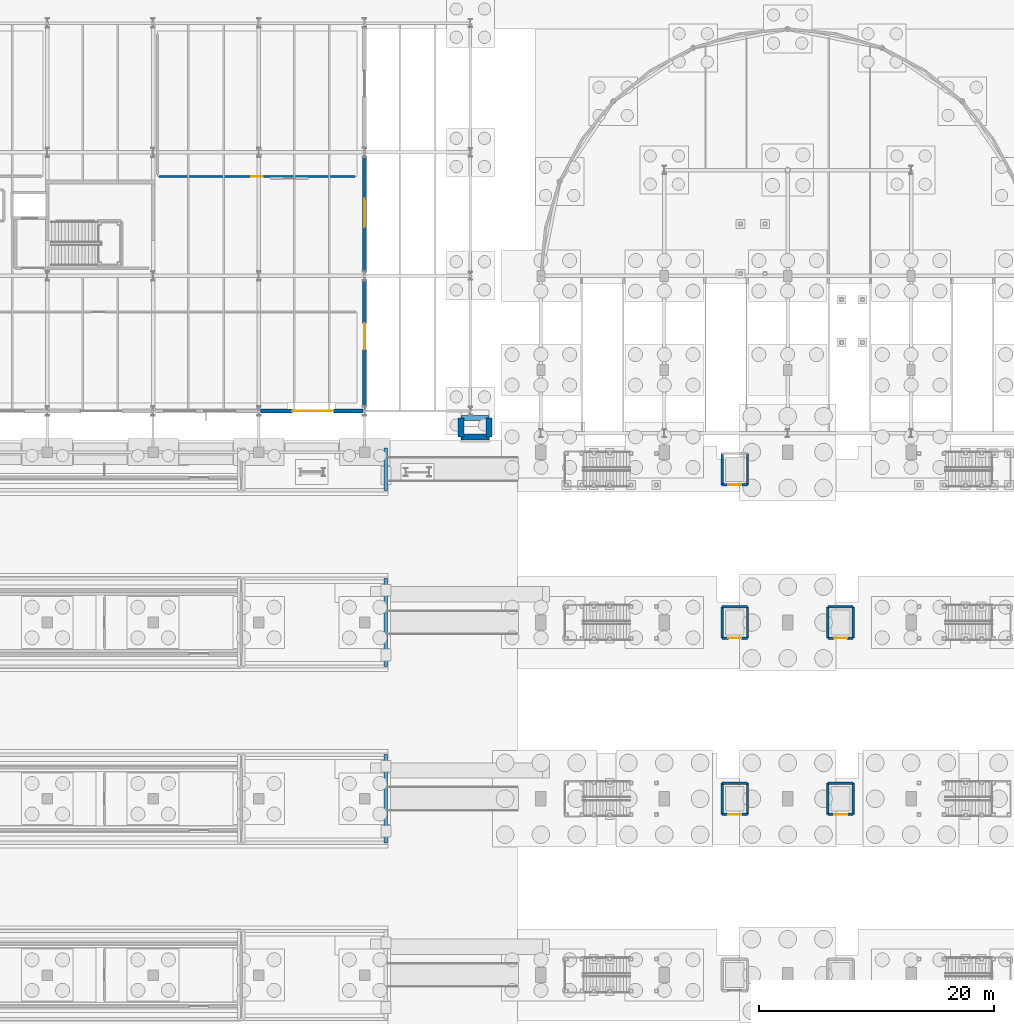
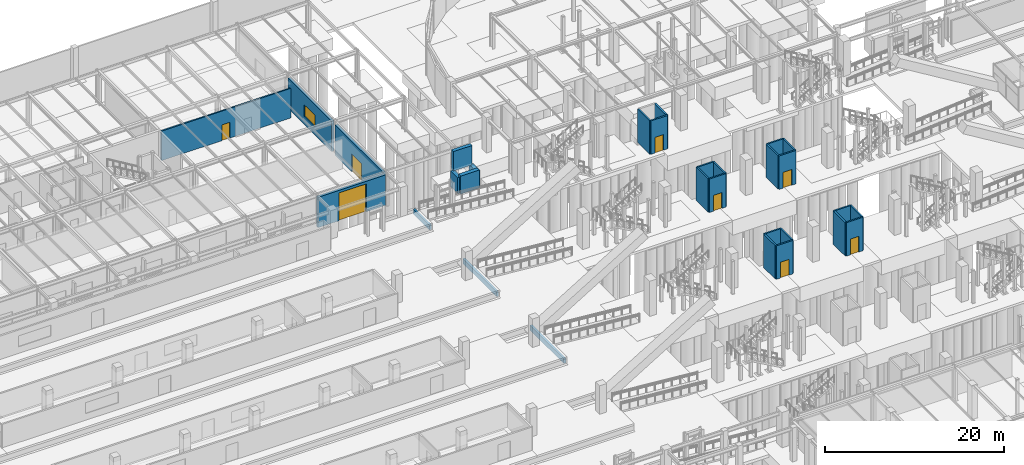
# One storey, part 105 of 160: 30 walls, 8 doors, 1 window, 9 openings.
"""IFC4 building model written with IfcOpenShell, lengths in metres."""

from ifc_helpers import new_model, si_unit, direction, frame, frame_2d, origin, place, context, subcontext, project, spatial, rectangle, extrude, material, layer, layer_set, type_object, element, fill, save


model = new_model("IFC4")

# Units and contexts
model_context = context("Model", 3, precision=1e-05, world=origin(), true_north=direction((0.0, 1.0)))
body_context = subcontext(model_context, "Body", "Model", "MODEL_VIEW")
ifc_project = project(units=[si_unit("LENGTHUNIT", "METRE"), si_unit("AREAUNIT", "SQUARE_METRE"), si_unit("VOLUMEUNIT", "CUBIC_METRE"), si_unit("PLANEANGLEUNIT", "RADIAN"), si_unit("MASSUNIT", "GRAM", prefix="KILO")], contexts=[model_context])

# Site, building, storey
site_placement = place(None, origin())
site = spatial("IfcSite", under=ifc_project, at=site_placement, CompositionType="ELEMENT")
building_placement = place(site_placement, origin())
building = spatial("IfcBuilding", under=site, at=building_placement, Name="Marlcrest Central Station", CompositionType="ELEMENT")
storey_placement = place(building_placement, origin())
storey = spatial("IfcBuildingStorey", under=building, at=storey_placement, Name="L00", CompositionType="ELEMENT", Elevation=0.0)

# Wall, opening, door
ifc_material_1 = material(Name="Concrete C40/50", Category="concrete")
ifc_layer_1 = layer(ifc_material_1, 0.320068359375, Name="EW-01")
ifc_layer_set_1 = layer_set([ifc_layer_1], Name="Concrete C40/50")
wall_type_1 = type_object("IfcWallType", Name="EW-01", PredefinedType="SOLIDWALL", material=ifc_layer_set_1)
wall_1_placement = place(storey_placement, frame((71.85009765625, 99.0, 0.0), z_axis=(0.0, 0.0, 1.0), x_axis=(-1.0, 0.0, 0.0)))
wall_1 = element("IfcWall", 1, at=wall_1_placement, inside=storey, type_object=wall_type_1, Name="ewall-L00-0104", PredefinedType="SOLIDWALL", context=body_context, shape_type="SweptSolid", body=[
    extrude(rectangle(XDim=8.7001953125, YDim=0.320068359375, at=frame_2d((4.35009765625, 0.0))), origin(), (0.0, 0.0, 1.0), 4.14990234375),
])
opening_1_placement = place(wall_1_placement, frame((2.5, 0.0, 0.0)))
opening_1 = element("IfcOpeningElement", 2, at=opening_1_placement, cuts=wall_1, Name="Opening VD-01", PredefinedType="OPENING", context=body_context, shape_type="SweptSolid", body=[
    extrude(rectangle(XDim=3.5, YDim=3.800048828125, at=frame_2d((1.75, 1.89990234375))), frame((0.0, 0.169921875, 0.0), z_axis=(0.0, -1.0, 0.0), x_axis=(1.0, 0.0, 0.0)), (0.0, 0.0, 1.0), 0.340087890625),
])
ifc_material_2 = material(Name="Galvanized insulated steel shutter", Category="steel")
door_type_1 = type_object("IfcDoorType", Name="VD-01", OperationType="ROLLINGUP", PredefinedType="GATE", material=ifc_material_2)
door_1_placement = place(opening_1_placement, origin())
door_1 = element("IfcDoor", 3, at=door_1_placement, inside=storey, type_object=door_type_1, Name="Freight Loading Dock Shutter 035", OperationType="ROLLINGUP", OverallHeight=3.800048828125, OverallWidth=3.5, PredefinedType="GATE", context=body_context, shape_type="SweptSolid", body=[
    extrude(rectangle(XDim=3.5, YDim=3.800048828125, at=frame_2d((1.75, 1.89990234375))), frame((0.0, 0.02490234375, 0.0), z_axis=(0.0, -1.0, 0.0), x_axis=(1.0, 0.0, 0.0)), (0.0, 0.0, 1.0), 0.050048828125),
])
fill(opening_1, door_1)

wall_2_placement = place(storey_placement, frame((72.0, 110.10009765625, 0.0), z_axis=(0.0, 0.0, 1.0), x_axis=(0.0, -1.0, 0.0)))
wall_2 = element("IfcWall", 4, at=wall_2_placement, inside=storey, type_object=wall_type_1, Name="ewall-L00-0108", PredefinedType="SOLIDWALL", context=body_context, shape_type="SweptSolid", body=[
    extrude(rectangle(XDim=10.7001953125, YDim=0.320068359375, at=frame_2d((5.35009765625, 0.0))), origin(), (0.0, 0.0, 1.0), 4.14990234375),
])
opening_2_placement = place(wall_2_placement, frame((3.64990234375, 0.0, 0.0)))
opening_2 = element("IfcOpeningElement", 5, at=opening_2_placement, cuts=wall_2, Name="Opening ED-01", PredefinedType="OPENING", context=body_context, shape_type="SweptSolid", body=[
    extrude(rectangle(XDim=2.199951171875, YDim=2.39990234375, at=frame_2d((1.10009765625, 1.199951171875))), frame((0.0, 0.169921875, 0.0), z_axis=(0.0, -1.0, 0.0), x_axis=(1.0, 0.0, 0.0)), (0.0, 0.0, 1.0), 0.340087890625),
])
ifc_material_3 = material(Name="Thermally broken anodised aluminium and laminated safety glass", Category="aluminium")
door_type_2 = type_object("IfcDoorType", Name="ED-01", OperationType="DOUBLE_DOOR_SINGLE_SWING", PredefinedType="DOOR", material=ifc_material_3)
door_2_placement = place(opening_2_placement, origin())
door_2 = element("IfcDoor", 6, at=door_2_placement, inside=storey, type_object=door_type_2, Name="Operations East Yard Exit Door 038", OperationType="DOUBLE_DOOR_SINGLE_SWING", OverallHeight=2.39990234375, OverallWidth=2.199951171875, PredefinedType="DOOR", context=body_context, shape_type="SweptSolid", body=[
    extrude(rectangle(XDim=2.199951171875, YDim=2.39990234375, at=frame_2d((1.10009765625, 1.199951171875))), frame((0.0, 0.02490234375, 0.0), z_axis=(0.0, -1.0, 0.0), x_axis=(1.0, 0.0, 0.0)), (0.0, 0.0, 1.0), 0.050048828125),
])
fill(opening_2, door_2)

# Wall, opening, window
wall_3_placement = place(storey_placement, frame((72.0, 120.60009765625, 0.0), z_axis=(0.0, 0.0, 1.0), x_axis=(0.0, -1.0, 0.0)))
wall_3 = element("IfcWall", 7, at=wall_3_placement, inside=storey, type_object=wall_type_1, Name="ewall-L00-0109", PredefinedType="SOLIDWALL", context=body_context, shape_type="SweptSolid", body=[
    extrude(rectangle(XDim=9.7001953125, YDim=0.320068359375, at=frame_2d((4.85009765625, 0.0))), origin(), (0.0, 0.0, 1.0), 4.14990234375),
])
opening_3_placement = place(wall_3_placement, frame((3.550048828125, 0.0, 1.10009765625)))
opening_3 = element("IfcOpeningElement", 8, at=opening_3_placement, cuts=wall_3, Name="Opening WN-02", PredefinedType="OPENING", context=body_context, shape_type="SweptSolid", body=[
    extrude(rectangle(XDim=2.39990234375, YDim=1.60009765625, at=frame_2d((1.199951171875, 0.800048828125))), frame((0.0, 0.169921875, 0.0), z_axis=(0.0, -1.0, 0.0), x_axis=(1.0, 0.0, 0.0)), (0.0, 0.0, 1.0), 0.340087890625),
])
ifc_material_4 = material(Name="Thermally broken bronze-anodised aluminium and laminated low-E glass", Category="aluminium")
window_type = type_object("IfcWindowType", Name="WN-02", PartitioningType="SINGLE_PANEL", PredefinedType="WINDOW", material=ifc_material_4)
window_placement = place(opening_3_placement, origin())
window = element("IfcWindow", 9, at=window_placement, inside=storey, type_object=window_type, Name="ewin-L00-0059", OverallHeight=1.60009765625, OverallWidth=2.39990234375, PartitioningType="SINGLE_PANEL", PredefinedType="WINDOW", context=body_context, shape_type="SweptSolid", body=[
    extrude(rectangle(XDim=2.39990234375, YDim=1.60009765625, at=frame_2d((1.199951171875, 0.800048828125))), frame((0.0, 0.030029296875, 0.0), z_axis=(0.0, -1.0, 0.0), x_axis=(1.0, 0.0, 0.0)), (0.0, 0.0, 1.0), 0.06005859375),
])
fill(opening_3, window)

# Wall, opening, door
ifc_material_5 = material(Name="Fire-rated corridor blockwork partition", Category="masonry")
ifc_layer_2 = layer(ifc_material_5, 0.179931640625, Name="PT-04")
ifc_layer_set_2 = layer_set([ifc_layer_2], Name="Fire-rated corridor blockwork partition")
wall_type_2 = type_object("IfcWallType", Name="PT-04", PredefinedType="PARTITIONING", material=ifc_layer_set_2)
wall_4_placement = place(storey_placement, frame((71.18994140625, 118.9599609375, 0.0), z_axis=(0.0, 0.0, 1.0), x_axis=(-1.0, 0.0, 0.0)))
wall_4 = element("IfcWall", 10, at=wall_4_placement, inside=storey, type_object=wall_type_2, Name="iwall-L00-00060", PredefinedType="PARTITIONING", context=body_context, shape_type="SweptSolid", body=[
    extrude(rectangle(XDim=16.679931640625, YDim=0.179931640625, at=frame_2d((8.33984375, 0.0))), origin(), (0.0, 0.0, 1.0), 4.030029296875),
])
opening_4_placement = place(wall_4_placement, frame((7.840087890625, 0.0, 0.0)))
opening_4 = element("IfcOpeningElement", 11, at=opening_4_placement, cuts=wall_4, Name="Opening ID-02", PredefinedType="OPENING", context=body_context, shape_type="SweptSolid", body=[
    extrude(rectangle(XDim=1.0, YDim=2.14990234375, at=frame_2d((0.5, 1.074951171875))), frame((0.0, 0.099853515625, 0.0), z_axis=(0.0, -1.0, 0.0), x_axis=(1.0, 0.0, 0.0)), (0.0, 0.0, 1.0), 0.199951171875),
])
ifc_material_6 = material(Name="Solid-core hardwood office door", Category="wood")
door_type_3 = type_object("IfcDoorType", Name="ID-02", OperationType="NOTDEFINED", PredefinedType="DOOR", material=ifc_material_6)
door_3_placement = place(opening_4_placement, origin())
door_3 = element("IfcDoor", 12, at=door_3_placement, inside=storey, type_object=door_type_3, Name="L00-V5F 0038", OperationType="SINGLE_SWING_LEFT", OverallHeight=2.14990234375, OverallWidth=1.0, PredefinedType="DOOR", context=body_context, shape_type="SweptSolid", body=[
    extrude(rectangle(XDim=1.0, YDim=2.14990234375, at=frame_2d((0.5, 1.074951171875))), frame((0.0, 0.02490234375, 0.0), z_axis=(0.0, -1.0, 0.0), x_axis=(1.0, 0.0, 0.0)), (0.0, 0.0, 1.0), 0.050048828125),
])
fill(opening_4, door_3)

# Walls
ifc_material_7 = material(Name="Concrete C35/45", Category="concrete")
ifc_layer_3 = layer(ifc_material_7, 0.27490234375, Name="PW-01")
ifc_layer_set_3 = layer_set([ifc_layer_3], Name="Concrete C35/45")
wall_type_3 = type_object("IfcWallType", Name="PW-01", PredefinedType="SOLIDWALL", material=ifc_layer_set_3)
for number, where, z_axis, x_axis, name in (
    (13, (73.800048828125, 62.25, 0.0), (0.0, 0.0, 1.0), (0.0, 1.0, 0.0), "swall-L00-0109"),
    (14, (73.800048828125, 77.25, 0.0), (0.0, 0.0, 1.0), (0.0, 1.0, 0.0), "swall-L00-0131"),
):
    element("IfcWall", number, at=place(storey_placement, frame(where, z_axis=z_axis, x_axis=x_axis)), inside=storey, type_object=wall_type_3, Name=name, PredefinedType="SOLIDWALL", context=body_context, shape_type="SweptSolid", body=[
        extrude(rectangle(XDim=7.5, YDim=0.27490234375, at=frame_2d((3.75, 0.0))), origin(), (0.0, 0.0, 1.0), 0.675048828125),
    ])
wall_5_placement = place(storey_placement, frame((73.800048828125, 92.25, 0.0), z_axis=(0.0, 0.0, 1.0), x_axis=(0.0, 1.0, 0.0)))
element("IfcWall", 15, at=wall_5_placement, inside=storey, type_object=wall_type_3, Name="swall-L00-0153", PredefinedType="SOLIDWALL", context=body_context, shape_type="SweptSolid", body=[
    extrude(rectangle(XDim=3.60009765625, YDim=0.27490234375, at=frame_2d((1.800048828125, 0.0))), origin(), (0.0, 0.0, 1.0), 0.675048828125),
])
ifc_layer_4 = layer(ifc_material_1, 0.449951171875, Name="RW-01")
ifc_layer_set_4 = layer_set([ifc_layer_4], Name="Concrete C40/50")
wall_type_4 = type_object("IfcWallType", Name="RW-01", PredefinedType="USERDEFINED", material=ifc_layer_set_4)
wall_6_placement = place(storey_placement, frame((80.199951171875, 98.39990234375, 2.14990234375), z_axis=(0.0, 0.0, 1.0), x_axis=(1.0, 0.0, 0.0)))
element("IfcWall", 16, at=wall_6_placement, inside=storey, type_object=wall_type_4, Name="swall-L00-0048", ObjectType="RETAINING_WALL", PredefinedType="USERDEFINED", context=body_context, shape_type="SweptSolid", body=[
    extrude(rectangle(XDim=2.400146484375, YDim=0.449951171875, at=frame_2d((1.2001953125, 0.0))), origin(), (0.0, 0.0, 1.0), 2.650146484375),
])
ifc_layer_5 = layer(ifc_material_1, 0.5, Name="RW-02")
ifc_layer_set_5 = layer_set([ifc_layer_5], Name="Concrete C40/50")
wall_type_5 = type_object("IfcWallType", Name="RW-02", PredefinedType="USERDEFINED", material=ifc_layer_set_5)
wall_7_placement = place(storey_placement, frame((80.199951171875, 96.800048828125, 0.0), z_axis=(0.0, 0.0, 1.0), x_axis=(1.0, 0.0, 0.0)))
element("IfcWall", 17, at=wall_7_placement, inside=storey, type_object=wall_type_5, Name="swall-L00-0047", ObjectType="RETAINING_WALL", PredefinedType="USERDEFINED", context=body_context, shape_type="SweptSolid", body=[
    extrude(rectangle(XDim=2.400146484375, YDim=0.5, at=frame_2d((1.2001953125, 0.0))), origin(), (0.0, 0.0, 1.0), 2.449951171875),
])
for number, where, z_axis, x_axis, name in (
    (18, (80.199951171875, 96.800048828125, 0.0), (0.0, 0.0, 1.0), (0.0, 1.0, 0.0), "swall-L00-0049"),
    (19, (82.60009765625, 96.800048828125, 0.0), (0.0, 0.0, 1.0), (0.0, 1.0, 0.0), "swall-L00-0050"),
):
    element("IfcWall", number, at=place(storey_placement, frame(where, z_axis=z_axis, x_axis=x_axis)), inside=storey, type_object=wall_type_5, Name=name, ObjectType="RETAINING_WALL", PredefinedType="USERDEFINED", context=body_context, shape_type="SweptSolid", body=[
        extrude(rectangle(XDim=1.599853515625, YDim=0.5, at=frame_2d((0.7998046875, 0.0))), origin(), (0.0, 0.0, 1.0), 2.14990234375),
    ])
ifc_layer_6 = layer(ifc_material_7, 0.205078125, Name="SHW-03")
ifc_layer_set_6 = layer_set([ifc_layer_6], Name="Concrete C35/45")
wall_type_6 = type_object("IfcWallType", Name="SHW-03", PredefinedType="SOLIDWALL", material=ifc_layer_set_6)
wall_8_placement = place(storey_placement, frame((102.419921875, 67.330078125, 0.0), z_axis=(0.0, 0.0, 1.0), x_axis=(1.0, 0.0, 0.0)))
element("IfcWall", 20, at=wall_8_placement, inside=storey, type_object=wall_type_6, Name="iwall-L00-00247", PredefinedType="SOLIDWALL", context=body_context, shape_type="SweptSolid", body=[
    extrude(rectangle(XDim=2.16015625, YDim=0.205078125, at=frame_2d((1.080078125, 0.0))), origin(), (0.0, 0.0, 1.0), 4.56005859375),
])

# Wall, opening, door
wall_9_placement = place(storey_placement, frame((104.580078125, 64.669921875, 0.0), z_axis=(0.0, 0.0, 1.0), x_axis=(-1.0, 0.0, 0.0)))
wall_9 = element("IfcWall", 21, at=wall_9_placement, inside=storey, type_object=wall_type_6, Name="iwall-L00-00248", PredefinedType="SOLIDWALL", context=body_context, shape_type="SweptSolid", body=[
    extrude(rectangle(XDim=2.16015625, YDim=0.205078125, at=frame_2d((1.080078125, 0.0))), origin(), (0.0, 0.0, 1.0), 4.56005859375),
])
opening_5_placement = place(wall_9_placement, frame((0.530029296875, 0.0, 0.0)))
opening_5 = element("IfcOpeningElement", 22, at=opening_5_placement, cuts=wall_9, Name="Opening LD-01", PredefinedType="OPENING", context=body_context, shape_type="SweptSolid", body=[
    extrude(rectangle(XDim=1.10009765625, YDim=2.14990234375, at=frame_2d((0.550048828125, 1.074951171875))), frame((0.0, 0.112548828125, 0.0), z_axis=(0.0, -1.0, 0.0), x_axis=(1.0, 0.0, 0.0)), (0.0, 0.0, 1.0), 0.22509765625),
])
ifc_material_8 = material(Name="Stainless steel sliding passenger lift landing door", Category="steel")
door_type_4 = type_object("IfcDoorType", Name="LD-01", OperationType="DOUBLE_DOOR_SLIDING", PredefinedType="DOOR", material=ifc_material_8)
door_4_placement = place(opening_5_placement, origin())
door_4 = element("IfcDoor", 23, at=door_4_placement, inside=storey, type_object=door_type_4, Name="LF-P4 Lift Landing Door 0132", OperationType="DOUBLE_DOOR_SLIDING", OverallHeight=2.14990234375, OverallWidth=1.10009765625, PredefinedType="DOOR", context=body_context, shape_type="SweptSolid", body=[
    extrude(rectangle(XDim=1.10009765625, YDim=2.14990234375, at=frame_2d((0.550048828125, 1.074951171875))), frame((0.0, 0.02490234375, 0.0), z_axis=(0.0, -1.0, 0.0), x_axis=(1.0, 0.0, 0.0)), (0.0, 0.0, 1.0), 0.050048828125),
])
fill(opening_5, door_4)

# Walls
for number, where, z_axis, x_axis, name in (
    (24, (102.419921875, 64.669921875, 0.0), (0.0, 0.0, 1.0), (0.0, 1.0, 0.0), "iwall-L00-00249"),
    (25, (104.580078125, 67.330078125, 0.0), (0.0, 0.0, 1.0), (0.0, -1.0, 0.0), "iwall-L00-00250"),
):
    element("IfcWall", number, at=place(storey_placement, frame(where, z_axis=z_axis, x_axis=x_axis)), inside=storey, type_object=wall_type_6, Name=name, PredefinedType="SOLIDWALL", context=body_context, shape_type="SweptSolid", body=[
        extrude(rectangle(XDim=2.66015625, YDim=0.205078125, at=frame_2d((1.330078125, 0.0))), origin(), (0.0, 0.0, 1.0), 4.56005859375),
    ])
wall_10_placement = place(storey_placement, frame((111.419921875, 67.330078125, 0.0), z_axis=(0.0, 0.0, 1.0), x_axis=(1.0, 0.0, 0.0)))
element("IfcWall", 26, at=wall_10_placement, inside=storey, type_object=wall_type_6, Name="iwall-L00-00255", PredefinedType="SOLIDWALL", context=body_context, shape_type="SweptSolid", body=[
    extrude(rectangle(XDim=2.16015625, YDim=0.205078125, at=frame_2d((1.080078125, 0.0))), origin(), (0.0, 0.0, 1.0), 4.56005859375),
])

# Wall, opening, door
wall_11_placement = place(storey_placement, frame((113.580078125, 64.669921875, 0.0), z_axis=(0.0, 0.0, 1.0), x_axis=(-1.0, 0.0, 0.0)))
wall_11 = element("IfcWall", 27, at=wall_11_placement, inside=storey, type_object=wall_type_6, Name="iwall-L00-00256", PredefinedType="SOLIDWALL", context=body_context, shape_type="SweptSolid", body=[
    extrude(rectangle(XDim=2.16015625, YDim=0.205078125, at=frame_2d((1.080078125, 0.0))), origin(), (0.0, 0.0, 1.0), 4.56005859375),
])
opening_6_placement = place(wall_11_placement, frame((0.530029296875, 0.0, 0.0)))
opening_6 = element("IfcOpeningElement", 28, at=opening_6_placement, cuts=wall_11, Name="Opening LD-01", PredefinedType="OPENING", context=body_context, shape_type="SweptSolid", body=[
    extrude(rectangle(XDim=1.10009765625, YDim=2.14990234375, at=frame_2d((0.550048828125, 1.074951171875))), frame((0.0, 0.112548828125, 0.0), z_axis=(0.0, -1.0, 0.0), x_axis=(1.0, 0.0, 0.0)), (0.0, 0.0, 1.0), 0.22509765625),
])
door_5_placement = place(opening_6_placement, origin())
door_5 = element("IfcDoor", 29, at=door_5_placement, inside=storey, type_object=door_type_4, Name="LF-P5 Lift Landing Door 0134", OperationType="DOUBLE_DOOR_SLIDING", OverallHeight=2.14990234375, OverallWidth=1.10009765625, PredefinedType="DOOR", context=body_context, shape_type="SweptSolid", body=[
    extrude(rectangle(XDim=1.10009765625, YDim=2.14990234375, at=frame_2d((0.550048828125, 1.074951171875))), frame((0.0, 0.02490234375, 0.0), z_axis=(0.0, -1.0, 0.0), x_axis=(1.0, 0.0, 0.0)), (0.0, 0.0, 1.0), 0.050048828125),
])
fill(opening_6, door_5)

# Walls
for number, where, z_axis, x_axis, name in (
    (30, (111.419921875, 64.669921875, 0.0), (0.0, 0.0, 1.0), (0.0, 1.0, 0.0), "iwall-L00-00257"),
    (31, (113.580078125, 67.330078125, 0.0), (0.0, 0.0, 1.0), (0.0, -1.0, 0.0), "iwall-L00-00258"),
):
    element("IfcWall", number, at=place(storey_placement, frame(where, z_axis=z_axis, x_axis=x_axis)), inside=storey, type_object=wall_type_6, Name=name, PredefinedType="SOLIDWALL", context=body_context, shape_type="SweptSolid", body=[
        extrude(rectangle(XDim=2.66015625, YDim=0.205078125, at=frame_2d((1.330078125, 0.0))), origin(), (0.0, 0.0, 1.0), 4.56005859375),
    ])
wall_12_placement = place(storey_placement, frame((102.419921875, 82.330078125, 0.0), z_axis=(0.0, 0.0, 1.0), x_axis=(1.0, 0.0, 0.0)))
element("IfcWall", 32, at=wall_12_placement, inside=storey, type_object=wall_type_6, Name="iwall-L00-00263", PredefinedType="SOLIDWALL", context=body_context, shape_type="SweptSolid", body=[
    extrude(rectangle(XDim=2.16015625, YDim=0.205078125, at=frame_2d((1.080078125, 0.0))), origin(), (0.0, 0.0, 1.0), 4.56005859375),
])

# Wall, opening, door
wall_13_placement = place(storey_placement, frame((104.580078125, 79.669921875, 0.0), z_axis=(0.0, 0.0, 1.0), x_axis=(-1.0, 0.0, 0.0)))
wall_13 = element("IfcWall", 33, at=wall_13_placement, inside=storey, type_object=wall_type_6, Name="iwall-L00-00264", PredefinedType="SOLIDWALL", context=body_context, shape_type="SweptSolid", body=[
    extrude(rectangle(XDim=2.16015625, YDim=0.205078125, at=frame_2d((1.080078125, 0.0))), origin(), (0.0, 0.0, 1.0), 4.56005859375),
])
opening_7_placement = place(wall_13_placement, frame((0.530029296875, 0.0, 0.0)))
opening_7 = element("IfcOpeningElement", 34, at=opening_7_placement, cuts=wall_13, Name="Opening LD-01", PredefinedType="OPENING", context=body_context, shape_type="SweptSolid", body=[
    extrude(rectangle(XDim=1.10009765625, YDim=2.14990234375, at=frame_2d((0.550048828125, 1.074951171875))), frame((0.0, 0.112548828125, 0.0), z_axis=(0.0, -1.0, 0.0), x_axis=(1.0, 0.0, 0.0)), (0.0, 0.0, 1.0), 0.22509765625),
])
door_6_placement = place(opening_7_placement, origin())
door_6 = element("IfcDoor", 35, at=door_6_placement, inside=storey, type_object=door_type_4, Name="LF-P6 Lift Landing Door 0136", OperationType="DOUBLE_DOOR_SLIDING", OverallHeight=2.14990234375, OverallWidth=1.10009765625, PredefinedType="DOOR", context=body_context, shape_type="SweptSolid", body=[
    extrude(rectangle(XDim=1.10009765625, YDim=2.14990234375, at=frame_2d((0.550048828125, 1.074951171875))), frame((0.0, 0.02490234375, 0.0), z_axis=(0.0, -1.0, 0.0), x_axis=(1.0, 0.0, 0.0)), (0.0, 0.0, 1.0), 0.050048828125),
])
fill(opening_7, door_6)

# Walls
for number, where, z_axis, x_axis, name in (
    (36, (102.419921875, 79.669921875, 0.0), (0.0, 0.0, 1.0), (0.0, 1.0, 0.0), "iwall-L00-00265"),
    (37, (104.580078125, 82.330078125, 0.0), (0.0, 0.0, 1.0), (0.0, -1.0, 0.0), "iwall-L00-00266"),
):
    element("IfcWall", number, at=place(storey_placement, frame(where, z_axis=z_axis, x_axis=x_axis)), inside=storey, type_object=wall_type_6, Name=name, PredefinedType="SOLIDWALL", context=body_context, shape_type="SweptSolid", body=[
        extrude(rectangle(XDim=2.66015625, YDim=0.205078125, at=frame_2d((1.330078125, 0.0))), origin(), (0.0, 0.0, 1.0), 4.56005859375),
    ])
wall_14_placement = place(storey_placement, frame((111.419921875, 82.330078125, 0.0), z_axis=(0.0, 0.0, 1.0), x_axis=(1.0, 0.0, 0.0)))
element("IfcWall", 38, at=wall_14_placement, inside=storey, type_object=wall_type_6, Name="iwall-L00-00271", PredefinedType="SOLIDWALL", context=body_context, shape_type="SweptSolid", body=[
    extrude(rectangle(XDim=2.16015625, YDim=0.205078125, at=frame_2d((1.080078125, 0.0))), origin(), (0.0, 0.0, 1.0), 4.56005859375),
])

# Wall, opening, door
wall_15_placement = place(storey_placement, frame((113.580078125, 79.669921875, 0.0), z_axis=(0.0, 0.0, 1.0), x_axis=(-1.0, 0.0, 0.0)))
wall_15 = element("IfcWall", 39, at=wall_15_placement, inside=storey, type_object=wall_type_6, Name="iwall-L00-00272", PredefinedType="SOLIDWALL", context=body_context, shape_type="SweptSolid", body=[
    extrude(rectangle(XDim=2.16015625, YDim=0.205078125, at=frame_2d((1.080078125, 0.0))), origin(), (0.0, 0.0, 1.0), 4.56005859375),
])
opening_8_placement = place(wall_15_placement, frame((0.530029296875, 0.0, 0.0)))
opening_8 = element("IfcOpeningElement", 40, at=opening_8_placement, cuts=wall_15, Name="Opening LD-01", PredefinedType="OPENING", context=body_context, shape_type="SweptSolid", body=[
    extrude(rectangle(XDim=1.10009765625, YDim=2.14990234375, at=frame_2d((0.550048828125, 1.074951171875))), frame((0.0, 0.112548828125, 0.0), z_axis=(0.0, -1.0, 0.0), x_axis=(1.0, 0.0, 0.0)), (0.0, 0.0, 1.0), 0.22509765625),
])
door_7_placement = place(opening_8_placement, origin())
door_7 = element("IfcDoor", 41, at=door_7_placement, inside=storey, type_object=door_type_4, Name="LF-P7 Lift Landing Door 0138", OperationType="DOUBLE_DOOR_SLIDING", OverallHeight=2.14990234375, OverallWidth=1.10009765625, PredefinedType="DOOR", context=body_context, shape_type="SweptSolid", body=[
    extrude(rectangle(XDim=1.10009765625, YDim=2.14990234375, at=frame_2d((0.550048828125, 1.074951171875))), frame((0.0, 0.02490234375, 0.0), z_axis=(0.0, -1.0, 0.0), x_axis=(1.0, 0.0, 0.0)), (0.0, 0.0, 1.0), 0.050048828125),
])
fill(opening_8, door_7)

# Walls
for number, where, z_axis, x_axis, name in (
    (42, (111.419921875, 79.669921875, 0.0), (0.0, 0.0, 1.0), (0.0, 1.0, 0.0), "iwall-L00-00273"),
    (43, (113.580078125, 82.330078125, 0.0), (0.0, 0.0, 1.0), (0.0, -1.0, 0.0), "iwall-L00-00274"),
):
    element("IfcWall", number, at=place(storey_placement, frame(where, z_axis=z_axis, x_axis=x_axis)), inside=storey, type_object=wall_type_6, Name=name, PredefinedType="SOLIDWALL", context=body_context, shape_type="SweptSolid", body=[
        extrude(rectangle(XDim=2.66015625, YDim=0.205078125, at=frame_2d((1.330078125, 0.0))), origin(), (0.0, 0.0, 1.0), 4.56005859375),
    ])

# Wall, opening, door
wall_16_placement = place(storey_placement, frame((104.580078125, 92.719970703125, 0.0), z_axis=(0.0, 0.0, 1.0), x_axis=(-1.0, 0.0, 0.0)))
wall_16 = element("IfcWall", 44, at=wall_16_placement, inside=storey, type_object=wall_type_6, Name="iwall-L00-00280", PredefinedType="SOLIDWALL", context=body_context, shape_type="SweptSolid", body=[
    extrude(rectangle(XDim=2.16015625, YDim=0.205078125, at=frame_2d((1.080078125, 0.0))), origin(), (0.0, 0.0, 1.0), 4.56005859375),
])
opening_9_placement = place(wall_16_placement, frame((0.530029296875, 0.0, 0.0)))
opening_9 = element("IfcOpeningElement", 45, at=opening_9_placement, cuts=wall_16, Name="Opening LD-01", PredefinedType="OPENING", context=body_context, shape_type="SweptSolid", body=[
    extrude(rectangle(XDim=1.10009765625, YDim=2.14990234375, at=frame_2d((0.550048828125, 1.074951171875))), frame((0.0, 0.112548828125, 0.0), z_axis=(0.0, -1.0, 0.0), x_axis=(1.0, 0.0, 0.0)), (0.0, 0.0, 1.0), 0.22509765625),
])
door_8_placement = place(opening_9_placement, origin())
door_8 = element("IfcDoor", 46, at=door_8_placement, inside=storey, type_object=door_type_4, Name="LF-P8 Lift Landing Door 0140", OperationType="DOUBLE_DOOR_SLIDING", OverallHeight=2.14990234375, OverallWidth=1.10009765625, PredefinedType="DOOR", context=body_context, shape_type="SweptSolid", body=[
    extrude(rectangle(XDim=1.10009765625, YDim=2.14990234375, at=frame_2d((0.550048828125, 1.074951171875))), frame((0.0, 0.02490234375, 0.0), z_axis=(0.0, -1.0, 0.0), x_axis=(1.0, 0.0, 0.0)), (0.0, 0.0, 1.0), 0.050048828125),
])
fill(opening_9, door_8)

# Walls
for number, where, z_axis, x_axis, name in (
    (47, (102.419921875, 92.719970703125, 0.0), (0.0, 0.0, 1.0), (0.0, 1.0, 0.0), "iwall-L00-00281"),
    (48, (104.580078125, 95.3798828125, 0.0), (0.0, 0.0, 1.0), (0.0, -1.0, 0.0), "iwall-L00-00282"),
):
    element("IfcWall", number, at=place(storey_placement, frame(where, z_axis=z_axis, x_axis=x_axis)), inside=storey, type_object=wall_type_6, Name=name, PredefinedType="SOLIDWALL", context=body_context, shape_type="SweptSolid", body=[
        extrude(rectangle(XDim=2.659912109375, YDim=0.205078125, at=frame_2d((1.330078125, 0.0))), origin(), (0.0, 0.0, 1.0), 4.56005859375),
    ])

save(model, "model.ifc")
